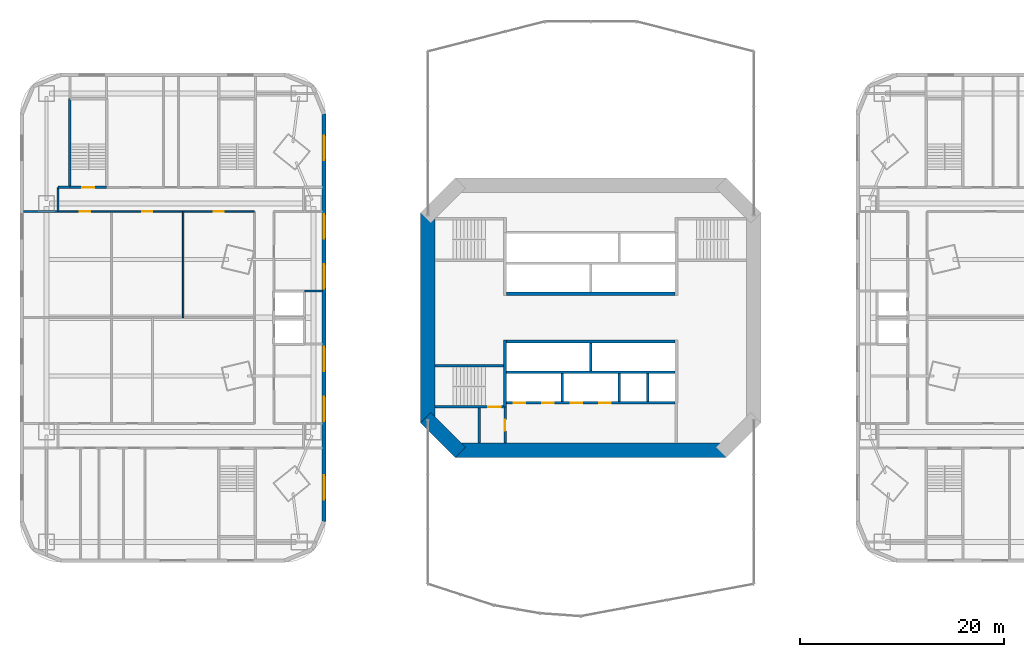
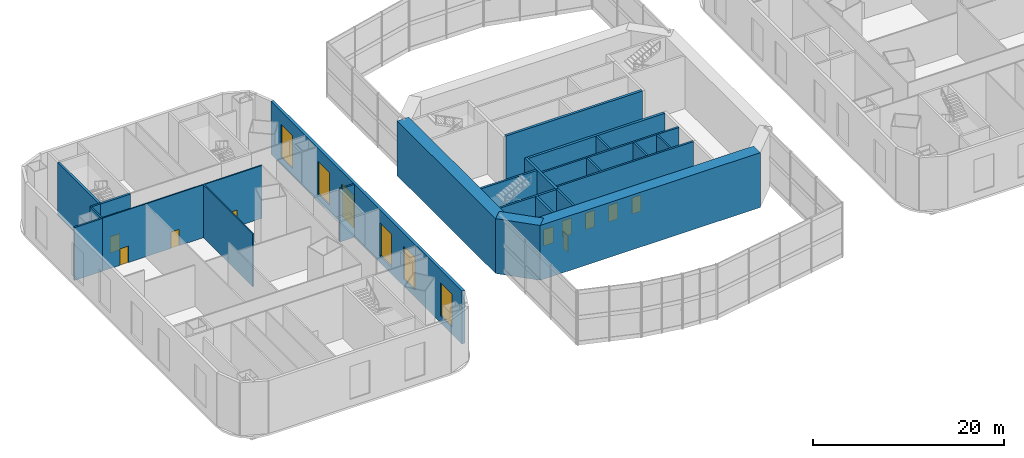
# One storey, part 11 of 19: 25 walls, 10 doors, 6 windows, 16 openings.
"""IFC4 building model written with IfcOpenShell, lengths in metres."""

from ifc_helpers import new_model, si_unit, direction, frame, frame_2d, origin, place, context, subcontext, project, spatial, rectangle, extrude, material, layer, layer_set, type_object, element, fill, save


model = new_model("IFC4")

# Units and contexts
model_context = context("Model", 3, precision=1e-05, world=origin(), true_north=direction((0.0, 1.0)))
body_context = subcontext(model_context, "Body", "Model", "MODEL_VIEW")
ifc_project = project(units=[si_unit("LENGTHUNIT", "METRE"), si_unit("AREAUNIT", "SQUARE_METRE"), si_unit("VOLUMEUNIT", "CUBIC_METRE"), si_unit("PLANEANGLEUNIT", "RADIAN"), si_unit("MASSUNIT", "GRAM", prefix="KILO")], contexts=[model_context])

# Site, building, storey
site_placement = place(None, origin())
site = spatial("IfcSite", under=ifc_project, at=site_placement, CompositionType="ELEMENT")
building_placement = place(site_placement, origin())
building = spatial("IfcBuilding", under=site, at=building_placement, Name="Marenthal Gate Tower", CompositionType="ELEMENT")
storey_placement = place(building_placement, frame((0.0, 0.0, 12.0)))
storey = spatial("IfcBuildingStorey", under=building, at=storey_placement, Name="L01", CompositionType="ELEMENT", Elevation=12.0)

# Walls
ifc_material_1 = material(Name="Concrete 60 MPa", Category="concrete")
ifc_layer_1 = layer(ifc_material_1, 1.39990234375)
ifc_layer_set_1 = layer_set([ifc_layer_1], Name="Core shear wall 1400")
wall_type_1 = type_object("IfcWallType", Name="Core shear wall 1400", PredefinedType="SHEAR", material=ifc_layer_set_1)
wall_1_placement = place(storey_placement, frame((-16.0, 10.289794921875, -0.25), z_axis=(0.0, 0.0, 1.0), x_axis=(0.0, -1.0, 0.0)))
element("IfcWall", 1, at=wall_1_placement, inside=storey, type_object=wall_type_1, Name="Core wall 06", PredefinedType="SHEAR", context=body_context, shape_type="SweptSolid", body=[
    extrude(rectangle(XDim=20.57958984375, YDim=1.39990234375, at=frame_2d((10.289794921875, 0.0))), origin(), (0.0, 0.0, 1.0), 7.0),
])
wall_2_placement = place(storey_placement, frame((-16.205078125, -9.794921875, -0.25), z_axis=(0.0, 0.0, 1.0), x_axis=(0.707106781187, -0.707106781187, 0.0)))
element("IfcWall", 2, at=wall_2_placement, inside=storey, type_object=wall_type_1, Name="Core wall 07", PredefinedType="SHEAR", context=body_context, shape_type="SweptSolid", body=[
    extrude(rectangle(XDim=4.82275390625, YDim=1.39990234375, at=frame_2d((2.411376953125, 0.0))), origin(), (0.0, 0.0, 1.0), 7.0),
])
wall_3_placement = place(storey_placement, frame((-13.289794921875, -13.0, -0.25), z_axis=(0.0, 0.0, 1.0), x_axis=(1.0, 0.0, 0.0)))
element("IfcWall", 3, at=wall_3_placement, inside=storey, type_object=wall_type_1, Name="Core wall 08", PredefinedType="SHEAR", context=body_context, shape_type="SweptSolid", body=[
    extrude(rectangle(XDim=26.57958984375, YDim=1.39990234375, at=frame_2d((13.289794921875, 0.0))), origin(), (0.0, 0.0, 1.0), 7.0),
])
ifc_material_2 = material(Name="Concrete 50 MPa", Category="concrete")
ifc_layer_2 = layer(ifc_material_2, 0.300048828125)
ifc_layer_set_2 = layer_set([ifc_layer_2], Name="Hoistway shear wall 300")
wall_type_2 = type_object("IfcWallType", Name="Hoistway shear wall 300", PredefinedType="SHEAR", material=ifc_layer_set_2)
for number, where, z_axis, x_axis, name in (
    (4, (-8.25, -2.35009765625, -0.25), (0.0, 0.0, 1.0), (1.0, 0.0, 0.0), "Hoistway wall 13"),
    (5, (-8.25, 2.35009765625, -0.25), (0.0, 0.0, 1.0), (1.0, 0.0, 0.0), "Hoistway wall 14"),
):
    element("IfcWall", number, at=place(storey_placement, frame(where, z_axis=z_axis, x_axis=x_axis)), inside=storey, type_object=wall_type_2, Name=name, PredefinedType="SHEAR", context=body_context, shape_type="SweptSolid", body=[
        extrude(rectangle(XDim=16.5, YDim=0.300048828125, at=frame_2d((8.25, 0.0))), origin(), (0.0, 0.0, 1.0), 7.0),
    ])
wall_4_placement = place(storey_placement, frame((-8.39990234375, -8.75, -0.25), z_axis=(0.0, 0.0, 1.0), x_axis=(0.0, 1.0, 0.0)))
element("IfcWall", 6, at=wall_4_placement, inside=storey, type_object=wall_type_2, Name="Hoistway wall 23", PredefinedType="SHEAR", context=body_context, shape_type="SweptSolid", body=[
    extrude(rectangle(XDim=6.550048828125, YDim=0.300048828125, at=frame_2d((3.27490234375, 0.0))), origin(), (0.0, 0.0, 1.0), 7.0),
])

# Wall, openings, doors
ifc_material_3 = material(Name="Concrete 40 MPa", Category="concrete")
ifc_layer_3 = layer(ifc_material_3, 0.219970703125)
ifc_layer_set_3 = layer_set([ifc_layer_3], Name="Hoistway wall 220")
wall_type_3 = type_object("IfcWallType", Name="Hoistway wall 220", PredefinedType="STANDARD", material=ifc_layer_set_3)
wall_5_placement = place(storey_placement, frame((-8.25, -8.35009765625, 0.0), z_axis=(0.0, 0.0, 1.0), x_axis=(1.0, 0.0, 0.0)))
wall_5 = element("IfcWall", 7, at=wall_5_placement, inside=storey, type_object=wall_type_3, Name="Hoistway wall 10", PredefinedType="STANDARD", context=body_context, shape_type="SweptSolid", body=[
    extrude(rectangle(XDim=16.5, YDim=0.219970703125, at=frame_2d((8.25, 0.0))), origin(), (0.0, 0.0, 1.0), 6.75),
])
opening_1_placement = place(wall_5_placement, frame((0.699951171875, 0.0, 0.0)))
opening_1 = element("IfcOpeningElement", 8, at=opening_1_placement, cuts=wall_5, Name="Opening LD-LF1", PredefinedType="OPENING", context=body_context, shape_type="SweptSolid", body=[
    extrude(rectangle(XDim=1.10009765625, YDim=2.10009765625, at=frame_2d((0.550048828125, 1.050048828125))), frame((0.0, 0.1201171875, 0.0), z_axis=(0.0, -1.0, 0.0), x_axis=(1.0, 0.0, 0.0)), (0.0, 0.0, 1.0), 0.239990234375),
])
opening_2_placement = place(wall_5_placement, frame((3.5, 0.0, 0.0)))
opening_2 = element("IfcOpeningElement", 9, at=opening_2_placement, cuts=wall_5, Name="Opening LD-LF2", PredefinedType="OPENING", context=body_context, shape_type="SweptSolid", body=[
    extrude(rectangle(XDim=1.10009765625, YDim=2.10009765625, at=frame_2d((0.550048828125, 1.050048828125))), frame((0.0, 0.1201171875, 0.0), z_axis=(0.0, -1.0, 0.0), x_axis=(1.0, 0.0, 0.0)), (0.0, 0.0, 1.0), 0.239990234375),
])
opening_3_placement = place(wall_5_placement, frame((6.300048828125, 0.0, 0.0)))
opening_3 = element("IfcOpeningElement", 10, at=opening_3_placement, cuts=wall_5, Name="Opening LD-SV1", PredefinedType="OPENING", context=body_context, shape_type="SweptSolid", body=[
    extrude(rectangle(XDim=1.10009765625, YDim=2.10009765625, at=frame_2d((0.550048828125, 1.050048828125))), frame((0.0, 0.1201171875, 0.0), z_axis=(0.0, -1.0, 0.0), x_axis=(1.0, 0.0, 0.0)), (0.0, 0.0, 1.0), 0.239990234375),
])
opening_4_placement = place(wall_5_placement, frame((9.10009765625, 0.0, 0.0)))
opening_4 = element("IfcOpeningElement", 11, at=opening_4_placement, cuts=wall_5, Name="Opening LD-SV2", PredefinedType="OPENING", context=body_context, shape_type="SweptSolid", body=[
    extrude(rectangle(XDim=1.10009765625, YDim=2.10009765625, at=frame_2d((0.550048828125, 1.050048828125))), frame((0.0, 0.1201171875, 0.0), z_axis=(0.0, -1.0, 0.0), x_axis=(1.0, 0.0, 0.0)), (0.0, 0.0, 1.0), 0.239990234375),
])
ifc_material_4 = material(Name="Stainless steel sliding door", Category="steel")
door_type_1 = type_object("IfcDoorType", Name="Lift landing door FD 90 1100 x 2100", OperationType="DOUBLE_DOOR_SLIDING", PredefinedType="DOOR", material=ifc_material_4)
door_1_placement = place(opening_1_placement, origin())
door_1 = element("IfcDoor", 12, at=door_1_placement, inside=storey, type_object=door_type_1, Name="Lift landing door LF1", OperationType="DOUBLE_DOOR_SLIDING", OverallHeight=2.10009765625, OverallWidth=1.10009765625, PredefinedType="DOOR", context=body_context, shape_type="SweptSolid", body=[
    extrude(rectangle(XDim=1.10009765625, YDim=2.10009765625, at=frame_2d((0.550048828125, 1.050048828125))), frame((0.0, 0.02490234375, 0.0), z_axis=(0.0, -1.0, 0.0), x_axis=(1.0, 0.0, 0.0)), (0.0, 0.0, 1.0), 0.050048828125),
])
fill(opening_1, door_1)
door_2_placement = place(opening_2_placement, origin())
door_2 = element("IfcDoor", 13, at=door_2_placement, inside=storey, type_object=door_type_1, Name="Lift landing door LF2", OperationType="DOUBLE_DOOR_SLIDING", OverallHeight=2.10009765625, OverallWidth=1.10009765625, PredefinedType="DOOR", context=body_context, shape_type="SweptSolid", body=[
    extrude(rectangle(XDim=1.10009765625, YDim=2.10009765625, at=frame_2d((0.550048828125, 1.050048828125))), frame((0.0, 0.02490234375, 0.0), z_axis=(0.0, -1.0, 0.0), x_axis=(1.0, 0.0, 0.0)), (0.0, 0.0, 1.0), 0.050048828125),
])
fill(opening_2, door_2)
door_3_placement = place(opening_3_placement, origin())
door_3 = element("IfcDoor", 14, at=door_3_placement, inside=storey, type_object=door_type_1, Name="Lift landing door SV1", OperationType="DOUBLE_DOOR_SLIDING", OverallHeight=2.10009765625, OverallWidth=1.10009765625, PredefinedType="DOOR", context=body_context, shape_type="SweptSolid", body=[
    extrude(rectangle(XDim=1.10009765625, YDim=2.10009765625, at=frame_2d((0.550048828125, 1.050048828125))), frame((0.0, 0.02490234375, 0.0), z_axis=(0.0, -1.0, 0.0), x_axis=(1.0, 0.0, 0.0)), (0.0, 0.0, 1.0), 0.050048828125),
])
fill(opening_3, door_3)
door_4_placement = place(opening_4_placement, origin())
door_4 = element("IfcDoor", 15, at=door_4_placement, inside=storey, type_object=door_type_1, Name="Lift landing door SV2", OperationType="DOUBLE_DOOR_SLIDING", OverallHeight=2.10009765625, OverallWidth=1.10009765625, PredefinedType="DOOR", context=body_context, shape_type="SweptSolid", body=[
    extrude(rectangle(XDim=1.10009765625, YDim=2.10009765625, at=frame_2d((0.550048828125, 1.050048828125))), frame((0.0, 0.02490234375, 0.0), z_axis=(0.0, -1.0, 0.0), x_axis=(1.0, 0.0, 0.0)), (0.0, 0.0, 1.0), 0.050048828125),
])
fill(opening_4, door_4)

# Walls
wall_6_placement = place(storey_placement, frame((-8.25, -5.35009765625, 0.0), z_axis=(0.0, 0.0, 1.0), x_axis=(1.0, 0.0, 0.0)))
element("IfcWall", 16, at=wall_6_placement, inside=storey, type_object=wall_type_3, Name="Hoistway wall 11", PredefinedType="STANDARD", context=body_context, shape_type="SweptSolid", body=[
    extrude(rectangle(XDim=16.5, YDim=0.219970703125, at=frame_2d((8.25, 0.0))), origin(), (0.0, 0.0, 1.0), 6.75),
])
wall_7_placement = place(storey_placement, frame((-2.800048828125, -8.239990234375, 0.0), z_axis=(0.0, 0.0, 1.0), x_axis=(0.0, 1.0, 0.0)))
element("IfcWall", 17, at=wall_7_placement, inside=storey, type_object=wall_type_3, Name="Hoistway wall 26", PredefinedType="STANDARD", context=body_context, shape_type="SweptSolid", body=[
    extrude(rectangle(XDim=2.780029296875, YDim=0.219970703125, at=frame_2d((1.39013671875, 0.0))), origin(), (0.0, 0.0, 1.0), 6.75),
])
wall_8_placement = place(storey_placement, frame((0.0, -5.239990234375, 0.0), z_axis=(0.0, 0.0, 1.0), x_axis=(0.0, 1.0, 0.0)))
element("IfcWall", 18, at=wall_8_placement, inside=storey, type_object=wall_type_3, Name="Hoistway wall 27", PredefinedType="STANDARD", context=body_context, shape_type="SweptSolid", body=[
    extrude(rectangle(XDim=2.739990234375, YDim=0.219970703125, at=frame_2d((1.3701171875, 0.0))), origin(), (0.0, 0.0, 1.0), 6.75),
])
for number, where, z_axis, x_axis, name in (
    (19, (2.800048828125, -8.239990234375, 0.0), (0.0, 0.0, 1.0), (0.0, 1.0, 0.0), "Hoistway wall 29"),
    (20, (5.60009765625, -8.239990234375, 0.0), (0.0, 0.0, 1.0), (0.0, 1.0, 0.0), "Hoistway wall 31"),
):
    element("IfcWall", number, at=place(storey_placement, frame(where, z_axis=z_axis, x_axis=x_axis)), inside=storey, type_object=wall_type_3, Name=name, PredefinedType="STANDARD", context=body_context, shape_type="SweptSolid", body=[
        extrude(rectangle(XDim=2.780029296875, YDim=0.219970703125, at=frame_2d((1.39013671875, 0.0))), origin(), (0.0, 0.0, 1.0), 6.75),
    ])

# Wall, openings, doors
ifc_material_5 = material(Name="Gypsum board on steel studs", Category="steel")
ifc_layer_4 = layer(ifc_material_5, 0.14990234375)
ifc_layer_set_4 = layer_set([ifc_layer_4], Name="Partition 150")
wall_type_4 = type_object("IfcWallType", Name="Partition 150", PredefinedType="PARTITIONING", material=ifc_layer_set_4)
wall_9_placement = place(storey_placement, frame((-52.25, 10.39990234375, 0.0), z_axis=(0.0, 0.0, 1.0), x_axis=(1.0, 0.0, 0.0)))
wall_9 = element("IfcWall", 21, at=wall_9_placement, inside=storey, type_object=wall_type_4, Name="Partition wall 58", PredefinedType="PARTITIONING", context=body_context, shape_type="SweptSolid", body=[
    extrude(rectangle(XDim=19.2548828125, YDim=0.14990234375, at=frame_2d((9.62744140625, 0.0))), origin(), (0.0, 0.0, 1.0), 6.75),
])
opening_5_placement = place(wall_9_placement, frame((15.25, 0.0, 0.0)))
opening_5 = element("IfcOpeningElement", 22, at=opening_5_placement, cuts=wall_9, Name="Opening D012.22", PredefinedType="OPENING", context=body_context, shape_type="SweptSolid", body=[
    extrude(rectangle(XDim=1.0, YDim=2.10009765625, at=frame_2d((0.5, 1.050048828125))), frame((0.0, 0.0849609375, 0.0), z_axis=(0.0, -1.0, 0.0), x_axis=(1.0, 0.0, 0.0)), (0.0, 0.0, 1.0), 0.169921875),
])
opening_6_placement = place(wall_9_placement, frame((8.25, 0.0, 0.0)))
opening_6 = element("IfcOpeningElement", 23, at=opening_6_placement, cuts=wall_9, Name="Opening D012.23", PredefinedType="OPENING", context=body_context, shape_type="SweptSolid", body=[
    extrude(rectangle(XDim=1.0, YDim=2.10009765625, at=frame_2d((0.5, 1.050048828125))), frame((0.0, 0.0849609375, 0.0), z_axis=(0.0, -1.0, 0.0), x_axis=(1.0, 0.0, 0.0)), (0.0, 0.0, 1.0), 0.169921875),
])
opening_7_placement = place(wall_9_placement, frame((2.12255859375, 0.0, 0.0)))
opening_7 = element("IfcOpeningElement", 24, at=opening_7_placement, cuts=wall_9, Name="Opening D012.24", PredefinedType="OPENING", context=body_context, shape_type="SweptSolid", body=[
    extrude(rectangle(XDim=1.0, YDim=2.10009765625, at=frame_2d((0.5, 1.050048828125))), frame((0.0, 0.0849609375, 0.0), z_axis=(0.0, -1.0, 0.0), x_axis=(1.0, 0.0, 0.0)), (0.0, 0.0, 1.0), 0.169921875),
])
ifc_material_6 = material(Name="Timber door", Category="wood")
door_type_2 = type_object("IfcDoorType", Name="Door 1000 x 2100", OperationType="NOTDEFINED", PredefinedType="DOOR", material=ifc_material_6)
door_5_placement = place(opening_5_placement, frame((1.0, 0.0, 0.0), z_axis=(0.0, 0.0, 1.0), x_axis=(-1.0, 0.0, 0.0)))
door_5 = element("IfcDoor", 25, at=door_5_placement, inside=storey, type_object=door_type_2, Name="Door D012.22", OperationType="SINGLE_SWING_LEFT", OverallHeight=2.10009765625, OverallWidth=1.0, PredefinedType="DOOR", context=body_context, shape_type="SweptSolid", body=[
    extrude(rectangle(XDim=1.0, YDim=2.10009765625, at=frame_2d((0.5, 1.050048828125))), frame((0.0, 0.02490234375, 0.0), z_axis=(0.0, -1.0, 0.0), x_axis=(1.0, 0.0, 0.0)), (0.0, 0.0, 1.0), 0.050048828125),
])
fill(opening_5, door_5)
door_6_placement = place(opening_6_placement, frame((1.0, 0.0, 0.0), z_axis=(0.0, 0.0, 1.0), x_axis=(-1.0, 0.0, 0.0)))
door_6 = element("IfcDoor", 26, at=door_6_placement, inside=storey, type_object=door_type_2, Name="Door D012.23", OperationType="SINGLE_SWING_LEFT", OverallHeight=2.10009765625, OverallWidth=1.0, PredefinedType="DOOR", context=body_context, shape_type="SweptSolid", body=[
    extrude(rectangle(XDim=1.0, YDim=2.10009765625, at=frame_2d((0.5, 1.050048828125))), frame((0.0, 0.02490234375, 0.0), z_axis=(0.0, -1.0, 0.0), x_axis=(1.0, 0.0, 0.0)), (0.0, 0.0, 1.0), 0.050048828125),
])
fill(opening_6, door_6)
door_7_placement = place(opening_7_placement, frame((1.0, 0.0, 0.0), z_axis=(0.0, 0.0, 1.0), x_axis=(-1.0, 0.0, 0.0)))
door_7 = element("IfcDoor", 27, at=door_7_placement, inside=storey, type_object=door_type_2, Name="Door D012.24", OperationType="SINGLE_SWING_LEFT", OverallHeight=2.10009765625, OverallWidth=1.0, PredefinedType="DOOR", context=body_context, shape_type="SweptSolid", body=[
    extrude(rectangle(XDim=1.0, YDim=2.10009765625, at=frame_2d((0.5, 1.050048828125))), frame((0.0, 0.02490234375, 0.0), z_axis=(0.0, -1.0, 0.0), x_axis=(1.0, 0.0, 0.0)), (0.0, 0.0, 1.0), 0.050048828125),
])
fill(opening_7, door_7)

# Walls
wall_10_placement = place(storey_placement, frame((-40.0, 0.0, 0.0), z_axis=(0.0, 0.0, 1.0), x_axis=(0.0, 1.0, 0.0)))
element("IfcWall", 28, at=wall_10_placement, inside=storey, type_object=wall_type_4, Name="Partition wall 78", PredefinedType="PARTITIONING", context=body_context, shape_type="SweptSolid", body=[
    extrude(rectangle(XDim=10.39990234375, YDim=0.14990234375, at=frame_2d((5.199951171875, 0.0))), origin(), (0.0, 0.0, 1.0), 6.75),
])
ifc_material_7 = material(Name="Gypsum board on steel studs", Category="steel")
ifc_layer_5 = layer(ifc_material_7, 0.199951171875)
ifc_layer_set_5 = layer_set([ifc_layer_5], Name="Partition 200")
wall_type_5 = type_object("IfcWallType", Name="Partition 200", PredefinedType="PARTITIONING", material=ifc_layer_set_5)
wall_11_placement = place(storey_placement, frame((-28.10009765625, 2.60009765625, 0.0), z_axis=(0.0, 0.0, 1.0), x_axis=(1.0, 0.0, 0.0)))
element("IfcWall", 29, at=wall_11_placement, inside=storey, type_object=wall_type_5, Name="Partition wall 95", PredefinedType="PARTITIONING", context=body_context, shape_type="SweptSolid", body=[
    extrude(rectangle(XDim=1.77001953125, YDim=0.199951171875, at=frame_2d((0.885009765625, 0.0))), origin(), (0.0, 0.0, 1.0), 6.75),
])
wall_12_placement = place(storey_placement, frame((-55.669921875, 10.39990234375, 0.0), z_axis=(0.0, 0.0, 1.0), x_axis=(1.0, 0.0, 0.0)))
element("IfcWall", 30, at=wall_12_placement, inside=storey, type_object=wall_type_5, Name="Partition wall 97", PredefinedType="PARTITIONING", context=body_context, shape_type="SweptSolid", body=[
    extrude(rectangle(XDim=3.4248046875, YDim=0.199951171875, at=frame_2d((1.71240234375, 0.0))), origin(), (0.0, 0.0, 1.0), 6.75),
])
wall_13_placement = place(storey_placement, frame((-52.25, 12.800048828125, 0.0), z_axis=(0.0, 0.0, 1.0), x_axis=(1.0, 0.0, 0.0)))
element("IfcWall", 31, at=wall_13_placement, inside=storey, type_object=wall_type_5, Name="Partition wall 01", PredefinedType="PARTITIONING", context=body_context, shape_type="SweptSolid", body=[
    extrude(rectangle(XDim=1.155029296875, YDim=0.199951171875, at=frame_2d((0.57763671875, 0.0))), origin(), (0.0, 0.0, 1.0), 6.75),
])
wall_14_placement = place(storey_placement, frame((-52.25, 10.39990234375, 0.0), z_axis=(0.0, 0.0, 1.0), x_axis=(0.0, 1.0, 0.0)))
element("IfcWall", 32, at=wall_14_placement, inside=storey, type_object=wall_type_5, Name="Partition wall 27", PredefinedType="PARTITIONING", context=body_context, shape_type="SweptSolid", body=[
    extrude(rectangle(XDim=2.400146484375, YDim=0.199951171875, at=frame_2d((1.2001953125, 0.0))), origin(), (0.0, 0.0, 1.0), 6.75),
])
ifc_material_8 = material(Name="Concrete 40 MPa", Category="concrete")
ifc_layer_6 = layer(ifc_material_8, 0.25)
ifc_layer_set_6 = layer_set([ifc_layer_6], Name="Stair enclosure wall 250")
wall_type_6 = type_object("IfcWallType", Name="Stair enclosure wall 250", PredefinedType="STANDARD", material=ifc_layer_set_6)
wall_15_placement = place(storey_placement, frame((-10.949951171875, -12.300048828125, 0.0), z_axis=(0.0, 0.0, 1.0), x_axis=(0.0, 1.0, 0.0)))
element("IfcWall", 33, at=wall_15_placement, inside=storey, type_object=wall_type_6, Name="Stair wall 21", PredefinedType="STANDARD", context=body_context, shape_type="SweptSolid", body=[
    extrude(rectangle(XDim=3.425048828125, YDim=0.25, at=frame_2d((1.71240234375, 0.0))), origin(), (0.0, 0.0, 1.0), 6.75),
])

# Wall, opening, door
wall_16_placement = place(storey_placement, frame((-8.39990234375, -12.300048828125, 0.0), z_axis=(0.0, 0.0, 1.0), x_axis=(0.0, 1.0, 0.0)))
wall_16 = element("IfcWall", 34, at=wall_16_placement, inside=storey, type_object=wall_type_6, Name="Stair wall 22", PredefinedType="STANDARD", context=body_context, shape_type="SweptSolid", body=[
    extrude(rectangle(XDim=3.550048828125, YDim=0.25, at=frame_2d((1.77490234375, 0.0))), origin(), (0.0, 0.0, 1.0), 6.75),
])
opening_8_placement = place(wall_16_placement, frame((1.199951171875, 0.0, 0.0)))
opening_8 = element("IfcOpeningElement", 35, at=opening_8_placement, cuts=wall_16, Name="Opening D002.01", PredefinedType="OPENING", context=body_context, shape_type="SweptSolid", body=[
    extrude(rectangle(XDim=1.10009765625, YDim=2.10009765625, at=frame_2d((0.550048828125, 1.050048828125))), frame((0.0, 0.135009765625, 0.0), z_axis=(0.0, -1.0, 0.0), x_axis=(1.0, 0.0, 0.0)), (0.0, 0.0, 1.0), 0.27001953125),
])
ifc_material_9 = material(Name="Steel fire door", Category="steel")
door_type_3 = type_object("IfcDoorType", Name="Fire door FD 90 1100 x 2100", OperationType="NOTDEFINED", PredefinedType="DOOR", material=ifc_material_9)
door_8_placement = place(opening_8_placement, origin())
door_8 = element("IfcDoor", 36, at=door_8_placement, inside=storey, type_object=door_type_3, Name="Door D002.01", OperationType="SINGLE_SWING_RIGHT", OverallHeight=2.10009765625, OverallWidth=1.10009765625, PredefinedType="DOOR", context=body_context, shape_type="SweptSolid", body=[
    extrude(rectangle(XDim=1.10009765625, YDim=2.10009765625, at=frame_2d((0.550048828125, 1.050048828125))), frame((0.0, 0.02490234375, 0.0), z_axis=(0.0, -1.0, 0.0), x_axis=(1.0, 0.0, 0.0)), (0.0, 0.0, 1.0), 0.050048828125),
])
fill(opening_8, door_8)

ifc_material_10 = material(Name="Concrete 50 MPa", Category="concrete")
ifc_layer_7 = layer(ifc_material_10, 0.25)
ifc_layer_set_7 = layer_set([ifc_layer_7], Name="Stair shear wall 250")
wall_type_7 = type_object("IfcWallType", Name="Stair shear wall 250", PredefinedType="SHEAR", material=ifc_layer_set_7)
wall_17_placement = place(storey_placement, frame((-15.300048828125, -8.75, -0.25), z_axis=(0.0, 0.0, 1.0), x_axis=(1.0, 0.0, 0.0)))
wall_17 = element("IfcWall", 37, at=wall_17_placement, inside=storey, type_object=wall_type_7, Name="Stair wall 09", PredefinedType="SHEAR", context=body_context, shape_type="SweptSolid", body=[
    extrude(rectangle(XDim=6.75, YDim=0.25, at=frame_2d((3.375, 0.0))), origin(), (0.0, 0.0, 1.0), 7.0),
])
opening_9_placement = place(wall_17_placement, frame((5.25, 0.0, 0.25)))
opening_9 = element("IfcOpeningElement", 38, at=opening_9_placement, cuts=wall_17, Name="Opening D001.01", PredefinedType="OPENING", context=body_context, shape_type="SweptSolid", body=[
    extrude(rectangle(XDim=1.199951171875, YDim=2.10009765625, at=frame_2d((0.60009765625, 1.050048828125))), frame((0.0, 0.135009765625, 0.0), z_axis=(0.0, -1.0, 0.0), x_axis=(1.0, 0.0, 0.0)), (0.0, 0.0, 1.0), 0.27001953125),
])
ifc_material_11 = material(Name="Steel fire door", Category="steel")
door_type_4 = type_object("IfcDoorType", Name="Fire door FD 90 1200 x 2100", OperationType="NOTDEFINED", PredefinedType="DOOR", material=ifc_material_11)
door_9_placement = place(opening_9_placement, origin())
door_9 = element("IfcDoor", 39, at=door_9_placement, inside=storey, type_object=door_type_4, Name="Door D001.01", OperationType="SINGLE_SWING_RIGHT", OverallHeight=2.10009765625, OverallWidth=1.199951171875, PredefinedType="DOOR", context=body_context, shape_type="SweptSolid", body=[
    extrude(rectangle(XDim=1.199951171875, YDim=2.10009765625, at=frame_2d((0.60009765625, 1.050048828125))), frame((0.0, 0.02490234375, 0.0), z_axis=(0.0, -1.0, 0.0), x_axis=(1.0, 0.0, 0.0)), (0.0, 0.0, 1.0), 0.050048828125),
])
fill(opening_9, door_9)

# Wall
wall_18_placement = place(storey_placement, frame((-15.300048828125, -4.699951171875, -0.25), z_axis=(0.0, 0.0, 1.0), x_axis=(1.0, 0.0, 0.0)))
element("IfcWall", 40, at=wall_18_placement, inside=storey, type_object=wall_type_7, Name="Stair wall 12", PredefinedType="SHEAR", context=body_context, shape_type="SweptSolid", body=[
    extrude(rectangle(XDim=6.75, YDim=0.25, at=frame_2d((3.375, 0.0))), origin(), (0.0, 0.0, 1.0), 7.0),
])

# Wall, opening, door
wall_19_placement = place(storey_placement, frame((-51.10498046875, 12.800048828125, 0.0), z_axis=(0.0, 0.0, 1.0), x_axis=(1.0, 0.0, 0.0)))
wall_19 = element("IfcWall", 41, at=wall_19_placement, inside=storey, type_object=wall_type_7, Name="Stair wall 33", PredefinedType="SHEAR", context=body_context, shape_type="SweptSolid", body=[
    extrude(rectangle(XDim=3.60986328125, YDim=0.25, at=frame_2d((1.804931640625, 0.0))), origin(), (0.0, 0.0, 1.0), 6.75),
])
opening_10_placement = place(wall_19_placement, frame((1.205078125, 0.0, 0.0)))
opening_10 = element("IfcOpeningElement", 42, at=opening_10_placement, cuts=wall_19, Name="Opening D001.07", PredefinedType="OPENING", context=body_context, shape_type="SweptSolid", body=[
    extrude(rectangle(XDim=1.199951171875, YDim=2.10009765625, at=frame_2d((0.60009765625, 1.050048828125))), frame((0.0, 0.135009765625, 0.0), z_axis=(0.0, -1.0, 0.0), x_axis=(1.0, 0.0, 0.0)), (0.0, 0.0, 1.0), 0.27001953125),
])
door_10_placement = place(opening_10_placement, origin())
door_10 = element("IfcDoor", 43, at=door_10_placement, inside=storey, type_object=door_type_4, Name="Door D001.07", OperationType="SINGLE_SWING_RIGHT", OverallHeight=2.10009765625, OverallWidth=1.199951171875, PredefinedType="DOOR", context=body_context, shape_type="SweptSolid", body=[
    extrude(rectangle(XDim=1.199951171875, YDim=2.10009765625, at=frame_2d((0.60009765625, 1.050048828125))), frame((0.0, 0.02490234375, 0.0), z_axis=(0.0, -1.0, 0.0), x_axis=(1.0, 0.0, 0.0)), (0.0, 0.0, 1.0), 0.050048828125),
])
fill(opening_10, door_10)

# Wall
wall_20_placement = place(storey_placement, frame((-51.10009765625, 12.800048828125, 0.0), z_axis=(0.0, 0.0, 1.0), x_axis=(0.0, 1.0, 0.0)))
element("IfcWall", 44, at=wall_20_placement, inside=storey, type_object=wall_type_7, Name="Stair wall 52", PredefinedType="SHEAR", context=body_context, shape_type="SweptSolid", body=[
    extrude(rectangle(XDim=8.699951171875, YDim=0.25, at=frame_2d((4.35009765625, 0.0))), origin(), (0.0, 0.0, 1.0), 6.75),
])

# Wall, openings, windows
ifc_material_12 = material(Name="Terracotta cladding on insulated concrete-block backing", Category="masonry")
ifc_layer_8 = layer(ifc_material_12, 0.35009765625)
ifc_layer_set_8 = layer_set([ifc_layer_8], Name="Terracotta cladding wall 350")
wall_type_8 = type_object("IfcWallType", Name="Terracotta cladding wall 350", PredefinedType="SOLIDWALL", material=ifc_layer_set_8)
wall_21_placement = place(storey_placement, frame((-26.175048828125, -19.988525390625, 0.0), z_axis=(0.0, 0.0, 1.0), x_axis=(0.0, 1.0, 0.0)))
wall_21 = element("IfcWall", 45, at=wall_21_placement, inside=storey, type_object=wall_type_8, Name="Terracotta cladding wall L01 W3", PredefinedType="SOLIDWALL", context=body_context, shape_type="SweptSolid", body=[
    extrude(rectangle(XDim=39.97705078125, YDim=0.35009765625, at=frame_2d((19.988525390625, 0.0))), origin(), (0.0, 0.0, 1.0), 6.75),
])
opening_11_placement = place(wall_21_placement, frame((2.13134765625, 0.0, 0.89990234375)))
opening_11 = element("IfcOpeningElement", 46, at=opening_11_placement, cuts=wall_21, Name="Opening WN4-L01-49", PredefinedType="OPENING", context=body_context, shape_type="SweptSolid", body=[
    extrude(rectangle(XDim=2.39990234375, YDim=4.199951171875, at=frame_2d((1.199951171875, 2.10009765625))), frame((0.0, 0.18505859375, 0.0), z_axis=(0.0, -1.0, 0.0), x_axis=(1.0, 0.0, 0.0)), (0.0, 0.0, 1.0), 0.3701171875),
])
opening_12_placement = place(wall_21_placement, frame((9.83837890625, 0.0, 0.89990234375)))
opening_12 = element("IfcOpeningElement", 47, at=opening_12_placement, cuts=wall_21, Name="Opening WN4-L01-50", PredefinedType="OPENING", context=body_context, shape_type="SweptSolid", body=[
    extrude(rectangle(XDim=2.39990234375, YDim=4.199951171875, at=frame_2d((1.199951171875, 2.10009765625))), frame((0.0, 0.18505859375, 0.0), z_axis=(0.0, -1.0, 0.0), x_axis=(1.0, 0.0, 0.0)), (0.0, 0.0, 1.0), 0.3701171875),
])
opening_13_placement = place(wall_21_placement, frame((14.738525390625, 0.0, 0.89990234375)))
opening_13 = element("IfcOpeningElement", 48, at=opening_13_placement, cuts=wall_21, Name="Opening WN4-L01-51", PredefinedType="OPENING", context=body_context, shape_type="SweptSolid", body=[
    extrude(rectangle(XDim=2.39990234375, YDim=4.199951171875, at=frame_2d((1.199951171875, 2.10009765625))), frame((0.0, 0.18505859375, 0.0), z_axis=(0.0, -1.0, 0.0), x_axis=(1.0, 0.0, 0.0)), (0.0, 0.0, 1.0), 0.3701171875),
])
opening_14_placement = place(wall_21_placement, frame((22.83837890625, 0.0, 0.89990234375)))
opening_14 = element("IfcOpeningElement", 49, at=opening_14_placement, cuts=wall_21, Name="Opening WN4-L01-52", PredefinedType="OPENING", context=body_context, shape_type="SweptSolid", body=[
    extrude(rectangle(XDim=2.39990234375, YDim=4.199951171875, at=frame_2d((1.199951171875, 2.10009765625))), frame((0.0, 0.18505859375, 0.0), z_axis=(0.0, -1.0, 0.0), x_axis=(1.0, 0.0, 0.0)), (0.0, 0.0, 1.0), 0.3701171875),
])
opening_15_placement = place(wall_21_placement, frame((27.738525390625, 0.0, 0.89990234375)))
opening_15 = element("IfcOpeningElement", 50, at=opening_15_placement, cuts=wall_21, Name="Opening WN4-L01-53", PredefinedType="OPENING", context=body_context, shape_type="SweptSolid", body=[
    extrude(rectangle(XDim=2.39990234375, YDim=4.199951171875, at=frame_2d((1.199951171875, 2.10009765625))), frame((0.0, 0.18505859375, 0.0), z_axis=(0.0, -1.0, 0.0), x_axis=(1.0, 0.0, 0.0)), (0.0, 0.0, 1.0), 0.3701171875),
])
opening_16_placement = place(wall_21_placement, frame((35.445556640625, 0.0, 0.89990234375)))
opening_16 = element("IfcOpeningElement", 51, at=opening_16_placement, cuts=wall_21, Name="Opening WN4-L01-54", PredefinedType="OPENING", context=body_context, shape_type="SweptSolid", body=[
    extrude(rectangle(XDim=2.39990234375, YDim=4.199951171875, at=frame_2d((1.199951171875, 2.10009765625))), frame((0.0, 0.18505859375, 0.0), z_axis=(0.0, -1.0, 0.0), x_axis=(1.0, 0.0, 0.0)), (0.0, 0.0, 1.0), 0.3701171875),
])
ifc_material_13 = material(Name="Aluminium and laminated impact-rated glass", Category="aluminium")
window_type = type_object("IfcWindowType", Name="Window 2400x4200 impact-rated", PartitioningType="DOUBLE_PANEL_VERTICAL", PredefinedType="WINDOW", material=ifc_material_13)
window_1_placement = place(opening_11_placement, origin())
window_1 = element("IfcWindow", 52, at=window_1_placement, inside=storey, type_object=window_type, Name="Window L01 W3 1", OverallHeight=4.199951171875, OverallWidth=2.39990234375, PartitioningType="SINGLE_PANEL", PredefinedType="WINDOW", context=body_context, shape_type="SweptSolid", body=[
    extrude(rectangle(XDim=2.39990234375, YDim=4.199951171875, at=frame_2d((1.199951171875, 2.10009765625))), frame((0.0, 0.030029296875, 0.0), z_axis=(0.0, -1.0, 0.0), x_axis=(1.0, 0.0, 0.0)), (0.0, 0.0, 1.0), 0.06005859375),
])
fill(opening_11, window_1)
window_2_placement = place(opening_12_placement, origin())
window_2 = element("IfcWindow", 53, at=window_2_placement, inside=storey, type_object=window_type, Name="Window L01 W3 2", OverallHeight=4.199951171875, OverallWidth=2.39990234375, PartitioningType="SINGLE_PANEL", PredefinedType="WINDOW", context=body_context, shape_type="SweptSolid", body=[
    extrude(rectangle(XDim=2.39990234375, YDim=4.199951171875, at=frame_2d((1.199951171875, 2.10009765625))), frame((0.0, 0.030029296875, 0.0), z_axis=(0.0, -1.0, 0.0), x_axis=(1.0, 0.0, 0.0)), (0.0, 0.0, 1.0), 0.06005859375),
])
fill(opening_12, window_2)
window_3_placement = place(opening_13_placement, origin())
window_3 = element("IfcWindow", 54, at=window_3_placement, inside=storey, type_object=window_type, Name="Window L01 W3 3", OverallHeight=4.199951171875, OverallWidth=2.39990234375, PartitioningType="SINGLE_PANEL", PredefinedType="WINDOW", context=body_context, shape_type="SweptSolid", body=[
    extrude(rectangle(XDim=2.39990234375, YDim=4.199951171875, at=frame_2d((1.199951171875, 2.10009765625))), frame((0.0, 0.030029296875, 0.0), z_axis=(0.0, -1.0, 0.0), x_axis=(1.0, 0.0, 0.0)), (0.0, 0.0, 1.0), 0.06005859375),
])
fill(opening_13, window_3)
window_4_placement = place(opening_14_placement, origin())
window_4 = element("IfcWindow", 55, at=window_4_placement, inside=storey, type_object=window_type, Name="Window L01 W3 4", OverallHeight=4.199951171875, OverallWidth=2.39990234375, PartitioningType="SINGLE_PANEL", PredefinedType="WINDOW", context=body_context, shape_type="SweptSolid", body=[
    extrude(rectangle(XDim=2.39990234375, YDim=4.199951171875, at=frame_2d((1.199951171875, 2.10009765625))), frame((0.0, 0.030029296875, 0.0), z_axis=(0.0, -1.0, 0.0), x_axis=(1.0, 0.0, 0.0)), (0.0, 0.0, 1.0), 0.06005859375),
])
fill(opening_14, window_4)
window_5_placement = place(opening_15_placement, origin())
window_5 = element("IfcWindow", 56, at=window_5_placement, inside=storey, type_object=window_type, Name="Window L01 W3 5", OverallHeight=4.199951171875, OverallWidth=2.39990234375, PartitioningType="SINGLE_PANEL", PredefinedType="WINDOW", context=body_context, shape_type="SweptSolid", body=[
    extrude(rectangle(XDim=2.39990234375, YDim=4.199951171875, at=frame_2d((1.199951171875, 2.10009765625))), frame((0.0, 0.030029296875, 0.0), z_axis=(0.0, -1.0, 0.0), x_axis=(1.0, 0.0, 0.0)), (0.0, 0.0, 1.0), 0.06005859375),
])
fill(opening_15, window_5)
window_6_placement = place(opening_16_placement, origin())
window_6 = element("IfcWindow", 57, at=window_6_placement, inside=storey, type_object=window_type, Name="Window L01 W3 6", OverallHeight=4.199951171875, OverallWidth=2.39990234375, PartitioningType="SINGLE_PANEL", PredefinedType="WINDOW", context=body_context, shape_type="SweptSolid", body=[
    extrude(rectangle(XDim=2.39990234375, YDim=4.199951171875, at=frame_2d((1.199951171875, 2.10009765625))), frame((0.0, 0.030029296875, 0.0), z_axis=(0.0, -1.0, 0.0), x_axis=(1.0, 0.0, 0.0)), (0.0, 0.0, 1.0), 0.06005859375),
])
fill(opening_16, window_6)

save(model, "model.ifc")
